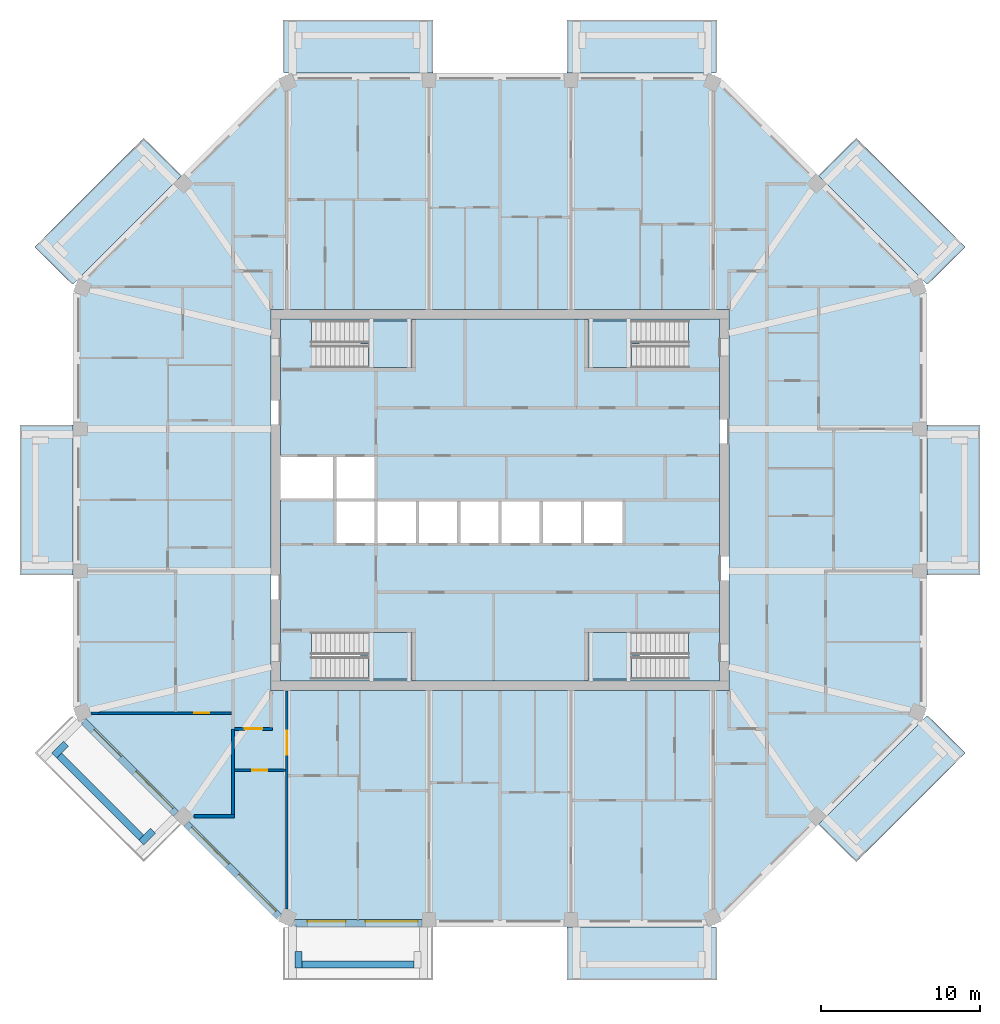
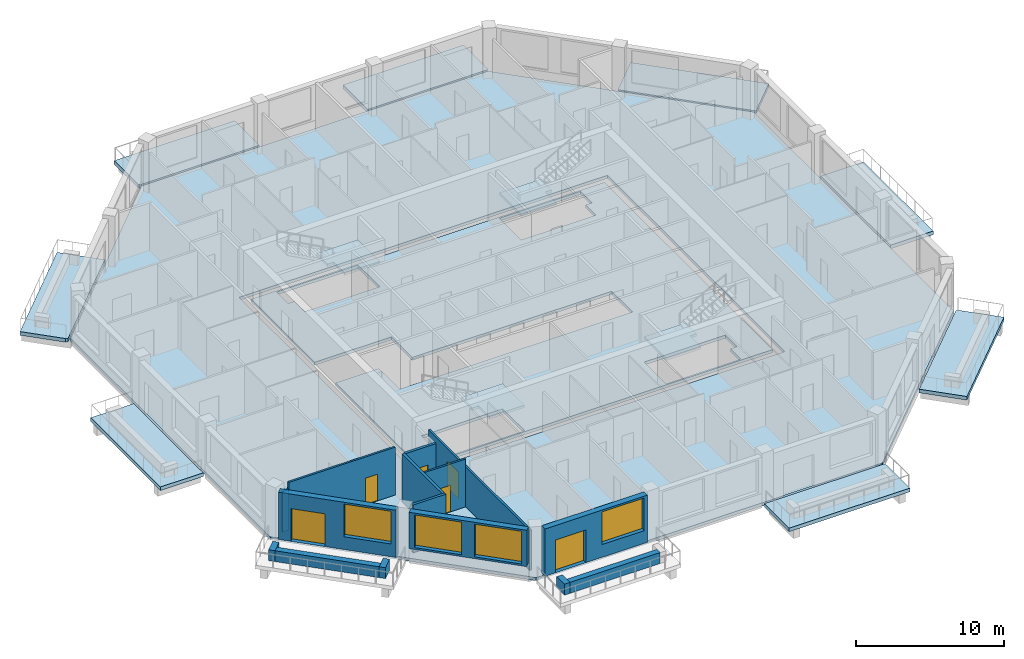
# One storey, part 2 of 13: 15 walls, 14 slabs, 6 doors, 4 windows, 10 openings, 4 elements without a shape of their own.
"""IFC4 building model written with IfcOpenShell, lengths in metres."""

from ifc_helpers import new_model, si_unit, direction, frame, frame_2d, origin, place, context, subcontext, project, spatial, polyline, rectangle, outline, extrude, material, layer, layer_set, type_object, element, fill, aggregate, save


model = new_model("IFC4")

# Units and contexts
model_context = context("Model", 3, precision=1e-05, world=origin(), true_north=direction((0.0, 1.0)))
body_context = subcontext(model_context, "Body", "Model", "MODEL_VIEW")
ifc_project = project(units=[si_unit("LENGTHUNIT", "METRE"), si_unit("AREAUNIT", "SQUARE_METRE"), si_unit("VOLUMEUNIT", "CUBIC_METRE"), si_unit("PLANEANGLEUNIT", "RADIAN"), si_unit("MASSUNIT", "GRAM", prefix="KILO")], contexts=[model_context])

# Site, building, storey
site_placement = place(None, origin())
site = spatial("IfcSite", under=ifc_project, at=site_placement, CompositionType="ELEMENT")
building_placement = place(site_placement, origin())
building = spatial("IfcBuilding", under=site, at=building_placement, Name="Msitu Wima Residences", CompositionType="ELEMENT")
storey_placement = place(building_placement, frame((0.0, 0.0, 289.5)))
storey = spatial("IfcBuildingStorey", under=building, at=storey_placement, Name="L67", CompositionType="ELEMENT", Elevation=289.5)

# Slabs
ifc_material_1 = material(Name="Concrete C40/50", Category="concrete")
ifc_layer_1 = layer(ifc_material_1, 0.300048828125)
ifc_layer_set_1 = layer_set([ifc_layer_1], Name="Concrete C40/50")
slab_type_1 = type_object("IfcSlabType", Name="Balcony slab BS300", PredefinedType="FLOOR", material=ifc_layer_set_1)
slab_1_placement = place(storey_placement, frame((0.0, 0.0, -0.300048828125)))
element("IfcSlab", 1, at=slab_1_placement, inside=storey, type_object=slab_type_1, Name="Balcony E1 L67", PredefinedType="FLOOR", context=body_context, shape_type="SweptSolid", body=[
    extrude(outline(polyline([(26.85009765625, -4.0185546875), (26.85009765625, 4.0185546875), (26.85009765625, 4.71875), (30.199951171875, 4.71875), (30.199951171875, -4.71875), (26.85009765625, -4.71875), (26.85009765625, -4.0185546875)])), origin(), (0.0, 0.0, 1.0), 0.300048828125),
])
slab_2_placement = place(storey_placement, frame((0.0, 0.0, -0.300048828125)))
element("IfcSlab", 2, at=slab_2_placement, inside=storey, type_object=slab_type_1, Name="Balcony NE0 L67", PredefinedType="FLOOR", context=body_context, shape_type="SweptSolid", body=[
    extrude(outline(polyline([(26.505615234375, 13.936767578125), (26.505615234375, 13.936767578125), (20.04443359375, 20.39794921875), (22.4130859375, 22.766845703125), (29.263671875, 15.916015625), (27.003662109375, 13.656005859375), (26.85009765625, 13.59228515625), (26.505615234375, 13.936767578125), (26.505615234375, 13.936767578125)])), origin(), (0.0, 0.0, 1.0), 0.300048828125),
])
slab_3_placement = place(storey_placement, frame((0.0, 0.0, -0.300048828125)))
element("IfcSlab", 3, at=slab_3_placement, inside=storey, type_object=slab_type_1, Name="Balcony N0 L67", PredefinedType="FLOOR", context=body_context, shape_type="SweptSolid", body=[
    extrude(outline(polyline([(13.105224609375, 26.85009765625), (13.105224609375, 26.85009765625), (4.918701171875, 26.85009765625), (4.21875, 26.85009765625), (4.21875, 30.199951171875), (13.656005859375, 30.199951171875), (13.656005859375, 27.003662109375), (13.59228515625, 26.85009765625), (13.105224609375, 26.85009765625), (13.105224609375, 26.85009765625)])), origin(), (0.0, 0.0, 1.0), 0.300048828125),
])
slab_4_placement = place(storey_placement, frame((0.0, 0.0, -0.300048828125)))
element("IfcSlab", 4, at=slab_4_placement, inside=storey, type_object=slab_type_1, Name="Balcony N2 L67", PredefinedType="FLOOR", context=body_context, shape_type="SweptSolid", body=[
    extrude(outline(polyline([(-13.105224609375, 26.85009765625), (-13.105224609375, 26.85009765625), (-13.105224609375, 26.85009765625), (-13.59228515625, 26.85009765625), (-13.656005859375, 27.003662109375), (-13.656005859375, 30.199951171875), (-4.21875, 30.199951171875), (-4.21875, 26.85009765625), (-4.918701171875, 26.85009765625), (-13.105224609375, 26.85009765625)])), origin(), (0.0, 0.0, 1.0), 0.300048828125),
])
slab_5_placement = place(storey_placement, frame((0.0, 0.0, -0.300048828125)))
element("IfcSlab", 5, at=slab_5_placement, inside=storey, type_object=slab_type_1, Name="Balcony NW1 L67", PredefinedType="FLOOR", context=body_context, shape_type="SweptSolid", body=[
    extrude(outline(polyline([(-26.505615234375, 13.936767578125), (-26.505615234375, 13.936767578125), (-26.85009765625, 13.59228515625), (-27.003662109375, 13.656005859375), (-29.263671875, 15.916015625), (-22.4130859375, 22.766845703125), (-20.04443359375, 20.39794921875), (-26.505615234375, 13.936767578125), (-26.505615234375, 13.936767578125)])), origin(), (0.0, 0.0, 1.0), 0.300048828125),
])
slab_6_placement = place(storey_placement, frame((0.0, 0.0, -0.300048828125)))
element("IfcSlab", 6, at=slab_6_placement, inside=storey, type_object=slab_type_1, Name="Balcony W1 L67", PredefinedType="FLOOR", context=body_context, shape_type="SweptSolid", body=[
    extrude(outline(polyline([(-26.85009765625, 4.0185546875), (-26.85009765625, -4.0185546875), (-26.85009765625, -4.71875), (-30.199951171875, -4.71875), (-30.199951171875, 4.71875), (-26.85009765625, 4.71875), (-26.85009765625, 4.0185546875)])), origin(), (0.0, 0.0, 1.0), 0.300048828125),
])
slab_7_placement = place(storey_placement, frame((0.0, 0.0, -0.300048828125)))
element("IfcSlab", 7, at=slab_7_placement, inside=storey, type_object=slab_type_1, Name="Balcony S2 L67", PredefinedType="FLOOR", context=body_context, shape_type="SweptSolid", body=[
    extrude(outline(polyline([(13.105224609375, -26.85009765625), (13.105224609375, -26.85009765625), (13.105224609375, -26.85009765625), (13.59228515625, -26.85009765625), (13.656005859375, -27.003662109375), (13.656005859375, -30.199951171875), (4.21875, -30.199951171875), (4.21875, -26.85009765625), (4.918701171875, -26.85009765625), (13.105224609375, -26.85009765625)])), origin(), (0.0, 0.0, 1.0), 0.300048828125),
])
slab_8_placement = place(storey_placement, frame((0.0, 0.0, -0.300048828125)))
element("IfcSlab", 8, at=slab_8_placement, inside=storey, type_object=slab_type_1, Name="Balcony SE1 L67", PredefinedType="FLOOR", context=body_context, shape_type="SweptSolid", body=[
    extrude(outline(polyline([(26.505615234375, -13.936767578125), (26.505615234375, -13.936767578125), (26.85009765625, -13.59228515625), (27.003662109375, -13.656005859375), (29.263671875, -15.916015625), (22.4130859375, -22.766845703125), (20.04443359375, -20.39794921875), (26.505615234375, -13.936767578125), (26.505615234375, -13.936767578125)])), origin(), (0.0, 0.0, 1.0), 0.300048828125),
])
ifc_layer_2 = layer(ifc_material_1, 0.25)
ifc_layer_set_2 = layer_set([ifc_layer_2], Name="Concrete C40/50")
slab_type_2 = type_object("IfcSlabType", Name="Core floor CF250", PredefinedType="FLOOR", material=ifc_layer_set_2)
slab_9_placement = place(storey_placement, frame((0.0, 0.0, -0.25)))
element("IfcSlab", 9, at=slab_9_placement, inside=storey, type_object=slab_type_2, Name="Core floor", PredefinedType="FLOOR", context=body_context, shape_type="SweptSolid", body=[
    extrude(outline(polyline([(-13.800048828125, 11.39990234375), (-13.800048828125, 2.800048828125), (-10.39990234375, 2.800048828125), (-7.800048828125, 2.800048828125), (-7.800048828125, 0.0), (-5.199951171875, 0.0), (-2.60009765625, 0.0), (0.0, 0.0), (2.60009765625, 0.0), (5.199951171875, 0.0), (7.800048828125, 0.0), (7.800048828125, -2.800048828125), (5.199951171875, -2.800048828125), (2.60009765625, -2.800048828125), (0.0, -2.800048828125), (-2.60009765625, -2.800048828125), (-5.199951171875, -2.800048828125), (-7.800048828125, -2.800048828125), (-10.39990234375, -2.800048828125), (-10.39990234375, 0.0), (-13.800048828125, 0.0), (-13.800048828125, -11.39990234375), (13.800048828125, -11.39990234375), (13.800048828125, 11.39990234375), (-13.800048828125, 11.39990234375)]), holes=[polyline([(-11.375, -11.27490234375), (-11.375, -9.875), (-11.87451171875, -9.875), (-11.87451171875, -8.324951171875), (-5.52490234375, -8.324951171875), (-5.52490234375, -11.27490234375), (-11.375, -11.27490234375)]), polyline([(-11.375, 8.324951171875), (-11.375, 9.72509765625), (-11.87451171875, 9.72509765625), (-11.87451171875, 11.27490234375), (-5.52490234375, 11.27490234375), (-5.52490234375, 8.324951171875), (-11.375, 8.324951171875)]), polyline([(11.375, -9.875), (11.375, -11.27490234375), (5.52490234375, -11.27490234375), (5.52490234375, -8.324951171875), (11.87451171875, -8.324951171875), (11.87451171875, -9.875), (11.375, -9.875)]), polyline([(11.375, 9.72509765625), (11.375, 8.324951171875), (5.52490234375, 8.324951171875), (5.52490234375, 11.27490234375), (11.87451171875, 11.27490234375), (11.87451171875, 9.72509765625), (11.375, 9.72509765625)])]), origin(), (0.0, 0.0, 1.0), 0.25),
])
ifc_layer_3 = layer(ifc_material_1, 0.25)
ifc_layer_set_3 = layer_set([ifc_layer_3], Name="Concrete C40/50")
slab_type_3 = type_object("IfcSlabType", Name="PT flat slab 250 Concrete C40/50", PredefinedType="FLOOR", material=ifc_layer_set_3)
slab_10_placement = place(storey_placement, frame((0.0, 0.0, -0.25)))
element("IfcSlab", 10, at=slab_10_placement, inside=storey, type_object=slab_type_3, Name="Floor slab L67", PredefinedType="FLOOR", context=body_context, shape_type="SweptSolid", body=[
    extrude(outline(polyline([(26.699951171875, -13.5302734375), (13.5302734375, -26.699951171875), (-13.5302734375, -26.699951171875), (-26.699951171875, -13.5302734375), (-26.699951171875, 13.5302734375), (-13.5302734375, 26.699951171875), (13.5302734375, 26.699951171875), (26.699951171875, 13.5302734375), (26.699951171875, -13.5302734375)]), holes=[polyline([(-14.39990234375, -12.0), (14.39990234375, -12.0), (14.39990234375, 12.0), (-14.39990234375, 12.0), (-14.39990234375, -12.0)])]), origin(), (0.0, 0.0, 1.0), 0.25),
])

# Stair, slab
stair_type = type_object("IfcStairType", Name="Exit stair ES1615-140", PredefinedType="HALF_TURN_STAIR", material=ifc_material_1)
stair_1_placement = place(storey_placement, origin())
stair_1 = element("IfcStair", 11, at=stair_1_placement, inside=storey, type_object=stair_type, Name="Exit stair 1", PredefinedType="HALF_TURN_STAIR")
ifc_layer_4 = layer(ifc_material_1, 0.199951171875)
ifc_layer_set_4 = layer_set([ifc_layer_4], Name="Concrete C40/50")
slab_type_4 = type_object("IfcSlabType", Name="Stair landing SL200", PredefinedType="LANDING", material=ifc_layer_set_4)
slab_11_placement = place(storey_placement, frame((0.0, 0.0, 1.89990234375)))
slab_11 = element("IfcSlab", 12, at=slab_11_placement, type_object=slab_type_4, Name="S1 landing 1", PredefinedType="LANDING", context=body_context, shape_type="SweptSolid", body=[
    extrude(outline(polyline([(-5.52490234375, 8.324951171875), (-8.275390625, 8.324951171875), (-8.275390625, 9.800048828125), (-8.77490234375, 9.800048828125), (-8.77490234375, 11.27490234375), (-5.52490234375, 11.27490234375), (-5.52490234375, 8.324951171875)])), origin(), (0.0, 0.0, 1.0), 0.2001953125),
])
aggregate(stair_1, [slab_11])

stair_2_placement = place(storey_placement, origin())
stair_2 = element("IfcStair", 13, at=stair_2_placement, inside=storey, type_object=stair_type, Name="Exit stair 2", PredefinedType="HALF_TURN_STAIR")
slab_12_placement = place(storey_placement, frame((0.0, 0.0, 1.89990234375)))
slab_12 = element("IfcSlab", 14, at=slab_12_placement, type_object=slab_type_4, Name="S2 landing 1", PredefinedType="LANDING", context=body_context, shape_type="SweptSolid", body=[
    extrude(outline(polyline([(-5.52490234375, -11.27490234375), (-8.275390625, -11.27490234375), (-8.275390625, -9.800048828125), (-8.77490234375, -9.800048828125), (-8.77490234375, -8.324951171875), (-5.52490234375, -8.324951171875), (-5.52490234375, -11.27490234375)])), origin(), (0.0, 0.0, 1.0), 0.2001953125),
])
aggregate(stair_2, [slab_12])

stair_3_placement = place(storey_placement, origin())
stair_3 = element("IfcStair", 15, at=stair_3_placement, inside=storey, type_object=stair_type, Name="Exit stair 3", PredefinedType="HALF_TURN_STAIR")
slab_13_placement = place(storey_placement, frame((0.0, 0.0, 1.89990234375)))
slab_13 = element("IfcSlab", 16, at=slab_13_placement, type_object=slab_type_4, Name="S3 landing 1", PredefinedType="LANDING", context=body_context, shape_type="SweptSolid", body=[
    extrude(outline(polyline([(5.52490234375, 8.324951171875), (8.275390625, 8.324951171875), (8.275390625, 9.800048828125), (8.77490234375, 9.800048828125), (8.77490234375, 11.27490234375), (5.52490234375, 11.27490234375), (5.52490234375, 8.324951171875)])), origin(), (0.0, 0.0, 1.0), 0.2001953125),
])
aggregate(stair_3, [slab_13])

stair_4_placement = place(storey_placement, origin())
stair_4 = element("IfcStair", 17, at=stair_4_placement, inside=storey, type_object=stair_type, Name="Exit stair 4", PredefinedType="HALF_TURN_STAIR")
slab_14_placement = place(storey_placement, frame((0.0, 0.0, 1.89990234375)))
slab_14 = element("IfcSlab", 18, at=slab_14_placement, type_object=slab_type_4, Name="S4 landing 1", PredefinedType="LANDING", context=body_context, shape_type="SweptSolid", body=[
    extrude(outline(polyline([(5.52490234375, -11.27490234375), (8.275390625, -11.27490234375), (8.275390625, -9.800048828125), (8.77490234375, -9.800048828125), (8.77490234375, -8.324951171875), (5.52490234375, -8.324951171875), (5.52490234375, -11.27490234375)])), origin(), (0.0, 0.0, 1.0), 0.2001953125),
])
aggregate(stair_4, [slab_14])

# Walls
ifc_material_2 = material(Name="Facing brick")
ifc_layer_5 = layer(ifc_material_2, 0.06494140625, Name="Facing brick")
ifc_layer_6 = layer(ifc_material_1, 0.156005859375, Name="Concrete C40/50")
ifc_material_3 = material(Name="Waterproofing membrane")
ifc_layer_7 = layer(ifc_material_3, 0.00390625, Name="Waterproofing membrane")
ifc_material_4 = material(Name="Planting soil and planting")
ifc_layer_8 = layer(ifc_material_4, 0.22509765625, Name="Planting soil and planting")
ifc_layer_set_5 = layer_set([ifc_layer_5, ifc_layer_6, ifc_layer_7, ifc_layer_8], Name="Concrete C40/50")
wall_type_1 = type_object("IfcWallType", Name="Balcony planter PLANTER PL450", PredefinedType="USERDEFINED", material=ifc_layer_set_5)
wall_1_placement = place(storey_placement, frame((-27.725830078125, -16.0751953125, 0.0), z_axis=(0.0, 0.0, 1.0), x_axis=(0.707106781187, -0.707106781187, 0.0)))
element("IfcWall", 19, at=wall_1_placement, inside=storey, type_object=wall_type_1, Name="Balcony planter SW0 L67", ObjectType="PLANTER", PredefinedType="USERDEFINED", context=body_context, shape_type="SweptSolid", body=[
    extrude(rectangle(XDim=7.288330078125, YDim=0.449951171875, at=frame_2d((3.64404296875, 0.0))), origin(), (0.0, 0.0, 1.0), 0.89990234375),
])
for number, where, z_axis, x_axis, name in (
    (20, (-27.301513671875, -15.332763671875, 0.0), (0.0, 0.0, 1.0), (-0.707106781187, -0.707106781187, 0.0), "Balcony planter SW0 L67"),
    (21, (-21.829833984375, -20.804443359375, 0.0), (0.0, 0.0, 1.0), (-0.707106781187, -0.707106781187, 0.0), "Balcony planter SW0 L67"),
):
    element("IfcWall", number, at=place(storey_placement, frame(where, z_axis=z_axis, x_axis=x_axis)), inside=storey, type_object=wall_type_1, Name=name, ObjectType="PLANTER", PredefinedType="USERDEFINED", context=body_context, shape_type="SweptSolid", body=[
        extrude(rectangle(XDim=1.050048828125, YDim=0.449951171875, at=frame_2d((0.52490234375, 0.0))), origin(), (0.0, 0.0, 1.0), 0.89990234375),
    ])
wall_2_placement = place(storey_placement, frame((-12.455810546875, -29.22509765625, 0.0), z_axis=(0.0, 0.0, 1.0), x_axis=(1.0, 0.0, 0.0)))
element("IfcWall", 22, at=wall_2_placement, inside=storey, type_object=wall_type_1, Name="Balcony planter S0 L67", ObjectType="PLANTER", PredefinedType="USERDEFINED", context=body_context, shape_type="SweptSolid", body=[
    extrude(rectangle(XDim=7.037109375, YDim=0.449951171875, at=frame_2d((3.5185546875, 0.0))), origin(), (0.0, 0.0, 1.0), 0.89990234375),
])
wall_3_placement = place(storey_placement, frame((-12.680908203125, -28.39990234375, 0.0), z_axis=(0.0, 0.0, 1.0), x_axis=(0.0, -1.0, 0.0)))
element("IfcWall", 23, at=wall_3_placement, inside=storey, type_object=wall_type_1, Name="Balcony planter S0 L67", ObjectType="PLANTER", PredefinedType="USERDEFINED", context=body_context, shape_type="SweptSolid", body=[
    extrude(rectangle(XDim=1.050048828125, YDim=0.449951171875, at=frame_2d((0.52490234375, 0.0))), origin(), (0.0, 0.0, 1.0), 0.89990234375),
])

# Wall, openings, door, window
ifc_material_5 = material(Name="Brick (red buff mix)", Category="masonry")
ifc_layer_9 = layer(ifc_material_5, 0.449951171875)
ifc_layer_set_6 = layer_set([ifc_layer_9], Name="Brick (red buff mix)")
wall_type_2 = type_object("IfcWallType", Name="Brick infill wall BW450", PredefinedType="SOLIDWALL", material=ifc_layer_set_6)
wall_4_placement = place(storey_placement, frame((-26.214599609375, -13.909423828125, 0.0), z_axis=(0.0, 0.0, 1.0), x_axis=(0.707106781187, -0.707106781187, 0.0)))
wall_4 = element("IfcWall", 24, at=wall_4_placement, inside=storey, type_object=wall_type_2, Name="Brick infill wall L67 SW0", PredefinedType="SOLIDWALL", context=body_context, shape_type="SweptSolid", body=[
    extrude(rectangle(XDim=8.251220703125, YDim=0.449951171875, at=frame_2d((4.12548828125, 0.0))), origin(), (0.0, 0.0, 1.0), 3.89990234375),
])
opening_1_placement = place(wall_4_placement, frame((0.86279296875, 0.0, 0.0)))
opening_1 = element("IfcOpeningElement", 25, at=opening_1_placement, cuts=wall_4, Name="Opening D65-67.009", PredefinedType="OPENING", context=body_context, shape_type="SweptSolid", body=[
    extrude(rectangle(XDim=2.39990234375, YDim=2.699951171875, at=frame_2d((1.199951171875, 1.35009765625))), frame((0.0, 0.23486328125, 0.0), z_axis=(0.0, -1.0, 0.0), x_axis=(1.0, 0.0, 0.0)), (0.0, 0.0, 1.0), 0.469970703125),
])
opening_2_placement = place(wall_4_placement, frame((4.57568359375, 0.0, 1.050048828125)))
opening_2 = element("IfcOpeningElement", 26, at=opening_2_placement, cuts=wall_4, Name="Opening W65-67.023", PredefinedType="OPENING", context=body_context, shape_type="SweptSolid", body=[
    extrude(rectangle(XDim=3.300048828125, YDim=2.699951171875, at=frame_2d((1.64990234375, 1.35009765625))), frame((0.0, 0.23486328125, 0.0), z_axis=(0.0, -1.0, 0.0), x_axis=(1.0, 0.0, 0.0)), (0.0, 0.0, 1.0), 0.469970703125),
])
ifc_material_6 = material(Name="Anodised aluminium, bronze finish, clear low-emissivity double glazing", Category="aluminium")
door_type_1 = type_object("IfcDoorType", Name="Balcony door D2400x2700", OperationType="SLIDING_TO_LEFT", PredefinedType="DOOR", material=ifc_material_6)
door_1_placement = place(opening_1_placement, origin())
door_1 = element("IfcDoor", 27, at=door_1_placement, inside=storey, type_object=door_type_1, Name="Balcony door L67 SW0", OperationType="SINGLE_SWING_LEFT", OverallHeight=2.699951171875, OverallWidth=2.39990234375, PredefinedType="DOOR", context=body_context, shape_type="SweptSolid", body=[
    extrude(rectangle(XDim=2.39990234375, YDim=2.699951171875, at=frame_2d((1.199951171875, 1.35009765625))), frame((0.0, 0.1298828125, 0.0), z_axis=(0.0, -1.0, 0.0), x_axis=(1.0, 0.0, 0.0)), (0.0, 0.0, 1.0), 0.050048828125),
])
fill(opening_1, door_1)
window_type = type_object("IfcWindowType", Name="Window W3300x2700", PartitioningType="DOUBLE_PANEL_VERTICAL", PredefinedType="WINDOW", material=ifc_material_6)
window_1_placement = place(opening_2_placement, origin())
window_1 = element("IfcWindow", 28, at=window_1_placement, inside=storey, type_object=window_type, Name="Window L67 SW0.2", OverallHeight=2.699951171875, OverallWidth=3.300048828125, PartitioningType="SINGLE_PANEL", PredefinedType="WINDOW", context=body_context, shape_type="SweptSolid", body=[
    extrude(rectangle(XDim=3.300048828125, YDim=2.699951171875, at=frame_2d((1.64990234375, 1.35009765625))), frame((0.0, 0.135009765625, 0.0), z_axis=(0.0, -1.0, 0.0), x_axis=(1.0, 0.0, 0.0)), (0.0, 0.0, 1.0), 0.06005859375),
])
fill(opening_2, window_1)

# Wall, openings, windows
wall_5_placement = place(storey_placement, frame((-19.743896484375, -20.380126953125, 0.89990234375), z_axis=(0.0, 0.0, 1.0), x_axis=(0.707106781187, -0.707106781187, 0.0)))
wall_5 = element("IfcWall", 29, at=wall_5_placement, inside=storey, type_object=wall_type_2, Name="Brick infill wall L67 SW1", PredefinedType="SOLIDWALL", context=body_context, shape_type="SweptSolid", body=[
    extrude(rectangle(XDim=8.251220703125, YDim=0.449951171875, at=frame_2d((4.12548828125, 0.0))), origin(), (0.0, 0.0, 1.0), 3.0),
])
opening_3_placement = place(wall_5_placement, frame((0.37548828125, 0.0, 0.14990234375)))
opening_3 = element("IfcOpeningElement", 30, at=opening_3_placement, cuts=wall_5, Name="Opening W65-67.024", PredefinedType="OPENING", context=body_context, shape_type="SweptSolid", body=[
    extrude(rectangle(XDim=3.300048828125, YDim=2.699951171875, at=frame_2d((1.64990234375, 1.35009765625))), frame((0.0, 0.23486328125, 0.0), z_axis=(0.0, -1.0, 0.0), x_axis=(1.0, 0.0, 0.0)), (0.0, 0.0, 1.0), 0.469970703125),
])
opening_4_placement = place(wall_5_placement, frame((4.57568359375, 0.0, 0.14990234375)))
opening_4 = element("IfcOpeningElement", 31, at=opening_4_placement, cuts=wall_5, Name="Opening W65-67.025", PredefinedType="OPENING", context=body_context, shape_type="SweptSolid", body=[
    extrude(rectangle(XDim=3.300048828125, YDim=2.699951171875, at=frame_2d((1.64990234375, 1.35009765625))), frame((0.0, 0.23486328125, 0.0), z_axis=(0.0, -1.0, 0.0), x_axis=(1.0, 0.0, 0.0)), (0.0, 0.0, 1.0), 0.469970703125),
])
window_2_placement = place(opening_3_placement, origin())
window_2 = element("IfcWindow", 32, at=window_2_placement, inside=storey, type_object=window_type, Name="Window L67 SW1.1", OverallHeight=2.699951171875, OverallWidth=3.300048828125, PartitioningType="SINGLE_PANEL", PredefinedType="WINDOW", context=body_context, shape_type="SweptSolid", body=[
    extrude(rectangle(XDim=3.300048828125, YDim=2.699951171875, at=frame_2d((1.64990234375, 1.35009765625))), frame((0.0, 0.135009765625, 0.0), z_axis=(0.0, -1.0, 0.0), x_axis=(1.0, 0.0, 0.0)), (0.0, 0.0, 1.0), 0.06005859375),
])
fill(opening_3, window_2)
window_3_placement = place(opening_4_placement, origin())
window_3 = element("IfcWindow", 33, at=window_3_placement, inside=storey, type_object=window_type, Name="Window L67 SW1.2", OverallHeight=2.699951171875, OverallWidth=3.300048828125, PartitioningType="SINGLE_PANEL", PredefinedType="WINDOW", context=body_context, shape_type="SweptSolid", body=[
    extrude(rectangle(XDim=3.300048828125, YDim=2.699951171875, at=frame_2d((1.64990234375, 1.35009765625))), frame((0.0, 0.135009765625, 0.0), z_axis=(0.0, -1.0, 0.0), x_axis=(1.0, 0.0, 0.0)), (0.0, 0.0, 1.0), 0.06005859375),
])
fill(opening_4, window_3)

# Wall, openings, door, window
wall_6_placement = place(storey_placement, frame((-12.918701171875, -26.625, 0.0), z_axis=(0.0, 0.0, 1.0), x_axis=(1.0, 0.0, 0.0)))
wall_6 = element("IfcWall", 34, at=wall_6_placement, inside=storey, type_object=wall_type_2, Name="Brick infill wall L67 S0", PredefinedType="SOLIDWALL", context=body_context, shape_type="SweptSolid", body=[
    extrude(rectangle(XDim=8.0, YDim=0.449951171875, at=frame_2d((4.0, 0.0))), origin(), (0.0, 0.0, 1.0), 3.89990234375),
])
opening_5_placement = place(wall_6_placement, frame((0.800048828125, 0.0, 0.0)))
opening_5 = element("IfcOpeningElement", 35, at=opening_5_placement, cuts=wall_6, Name="Opening D65-67.006", PredefinedType="OPENING", context=body_context, shape_type="SweptSolid", body=[
    extrude(rectangle(XDim=2.39990234375, YDim=2.699951171875, at=frame_2d((1.199951171875, 1.35009765625))), frame((0.0, 0.23486328125, 0.0), z_axis=(0.0, -1.0, 0.0), x_axis=(1.0, 0.0, 0.0)), (0.0, 0.0, 1.0), 0.469970703125),
])
opening_6_placement = place(wall_6_placement, frame((4.4501953125, 0.0, 1.050048828125)))
opening_6 = element("IfcOpeningElement", 36, at=opening_6_placement, cuts=wall_6, Name="Opening W65-67.016", PredefinedType="OPENING", context=body_context, shape_type="SweptSolid", body=[
    extrude(rectangle(XDim=3.300048828125, YDim=2.699951171875, at=frame_2d((1.64990234375, 1.35009765625))), frame((0.0, 0.23486328125, 0.0), z_axis=(0.0, -1.0, 0.0), x_axis=(1.0, 0.0, 0.0)), (0.0, 0.0, 1.0), 0.469970703125),
])
door_2_placement = place(opening_5_placement, origin())
door_2 = element("IfcDoor", 37, at=door_2_placement, inside=storey, type_object=door_type_1, Name="Balcony door L67 S0", OperationType="SINGLE_SWING_LEFT", OverallHeight=2.699951171875, OverallWidth=2.39990234375, PredefinedType="DOOR", context=body_context, shape_type="SweptSolid", body=[
    extrude(rectangle(XDim=2.39990234375, YDim=2.699951171875, at=frame_2d((1.199951171875, 1.35009765625))), frame((0.0, 0.1298828125, 0.0), z_axis=(0.0, -1.0, 0.0), x_axis=(1.0, 0.0, 0.0)), (0.0, 0.0, 1.0), 0.050048828125),
])
fill(opening_5, door_2)
window_4_placement = place(opening_6_placement, origin())
window_4 = element("IfcWindow", 38, at=window_4_placement, inside=storey, type_object=window_type, Name="Window L67 S0.2", OverallHeight=2.699951171875, OverallWidth=3.300048828125, PartitioningType="SINGLE_PANEL", PredefinedType="WINDOW", context=body_context, shape_type="SweptSolid", body=[
    extrude(rectangle(XDim=3.300048828125, YDim=2.699951171875, at=frame_2d((1.64990234375, 1.35009765625))), frame((0.0, 0.135009765625, 0.0), z_axis=(0.0, -1.0, 0.0), x_axis=(1.0, 0.0, 0.0)), (0.0, 0.0, 1.0), 0.06005859375),
])
fill(opening_6, window_4)

# Wall, opening, door
ifc_material_7 = material(Name="Plaster")
ifc_layer_10 = layer(ifc_material_7, 0.011962890625, Name="Plaster")
ifc_material_8 = material(Name="Concrete blockwork", Category="masonry")
ifc_layer_11 = layer(ifc_material_8, 0.176025390625, Name="Concrete blockwork")
ifc_layer_12 = layer(ifc_material_7, 0.011962890625, Name="Plaster")
ifc_layer_set_7 = layer_set([ifc_layer_10, ifc_layer_11, ifc_layer_12], Name="Concrete blockwork")
wall_type_3 = type_object("IfcWallType", Name="Corridor wall FW200", PredefinedType="PARTITIONING", material=ifc_layer_set_7)
wall_7_placement = place(storey_placement, frame((-16.699951171875, -14.39990234375, 0.0), z_axis=(0.0, 0.0, 1.0), x_axis=(1.0, 0.0, 0.0)))
wall_7 = element("IfcWall", 39, at=wall_7_placement, inside=storey, type_object=wall_type_3, Name="Corridor wall", PredefinedType="PARTITIONING", context=body_context, shape_type="SweptSolid", body=[
    extrude(rectangle(XDim=2.39990234375, YDim=0.199951171875, at=frame_2d((1.199951171875, 0.0))), origin(), (0.0, 0.0, 1.0), 3.949951171875),
])
opening_7_placement = place(wall_7_placement, frame((0.64990234375, 0.0, 0.0)))
opening_7 = element("IfcOpeningElement", 40, at=opening_7_placement, cuts=wall_7, Name="Opening D65-67.054", PredefinedType="OPENING", context=body_context, shape_type="SweptSolid", body=[
    extrude(rectangle(XDim=1.10009765625, YDim=2.39990234375, at=frame_2d((0.550048828125, 1.199951171875))), frame((0.0, 0.10986328125, 0.0), z_axis=(0.0, -1.0, 0.0), x_axis=(1.0, 0.0, 0.0)), (0.0, 0.0, 1.0), 0.219970703125),
])
ifc_material_9 = material(Name="Timber flush door, fire resisting, self-closing", Category="wood")
door_type_2 = type_object("IfcDoorType", Name="Flat entrance door D01 1100x2400", OperationType="SINGLE_SWING_LEFT", PredefinedType="DOOR", material=ifc_material_9)
door_3_placement = place(opening_7_placement, origin())
door_3 = element("IfcDoor", 41, at=door_3_placement, inside=storey, type_object=door_type_2, Name="Flat entrance door", OperationType="SINGLE_SWING_RIGHT", OverallHeight=2.39990234375, OverallWidth=1.10009765625, PredefinedType="DOOR", context=body_context, shape_type="SweptSolid", body=[
    extrude(rectangle(XDim=1.10009765625, YDim=2.39990234375, at=frame_2d((0.550048828125, 1.199951171875))), frame((0.0, 0.02490234375, 0.0), z_axis=(0.0, -1.0, 0.0), x_axis=(1.0, 0.0, 0.0)), (0.0, 0.0, 1.0), 0.050048828125),
])
fill(opening_7, door_3)

# Wall
ifc_layer_13 = layer(ifc_material_7, 0.011962890625, Name="Plaster")
ifc_layer_14 = layer(ifc_material_8, 0.1259765625, Name="Concrete blockwork")
ifc_layer_15 = layer(ifc_material_7, 0.011962890625, Name="Plaster")
ifc_layer_set_8 = layer_set([ifc_layer_13, ifc_layer_14, ifc_layer_15], Name="Concrete blockwork")
wall_type_4 = type_object("IfcWallType", Name="Partition PW150", PredefinedType="PARTITIONING", material=ifc_layer_set_8)
wall_8_placement = place(storey_placement, frame((-25.731201171875, -13.406005859375, 0.0), z_axis=(0.0, 0.0, 1.0), x_axis=(1.0, 0.0, 0.0)))
element("IfcWall", 42, at=wall_8_placement, inside=storey, type_object=wall_type_4, Name="Partition", PredefinedType="PARTITIONING", context=body_context, shape_type="SweptSolid", body=[
    extrude(rectangle(XDim=0.507080078125, YDim=0.14990234375, at=frame_2d((0.25341796875, 0.0))), origin(), (0.0, 0.0, 1.0), 3.35009765625),
])

# Wall, opening, door
wall_9_placement = place(storey_placement, frame((-25.22412109375, -13.406005859375, 0.0), z_axis=(0.0, 0.0, 1.0), x_axis=(1.0, 0.0, 0.0)))
wall_9 = element("IfcWall", 43, at=wall_9_placement, inside=storey, type_object=wall_type_4, Name="Partition", PredefinedType="PARTITIONING", context=body_context, shape_type="SweptSolid", body=[
    extrude(rectangle(XDim=8.32421875, YDim=0.14990234375, at=frame_2d((4.162109375, 0.0))), origin(), (0.0, 0.0, 1.0), 3.949951171875),
])
opening_8_placement = place(wall_9_placement, frame((5.992919921875, 0.0, 0.0)))
opening_8 = element("IfcOpeningElement", 44, at=opening_8_placement, cuts=wall_9, Name="Opening D65-67.043", PredefinedType="OPENING", context=body_context, shape_type="SweptSolid", body=[
    extrude(rectangle(XDim=0.949951171875, YDim=2.199951171875, at=frame_2d((0.47509765625, 1.10009765625))), frame((0.0, 0.0849609375, 0.0), z_axis=(0.0, -1.0, 0.0), x_axis=(1.0, 0.0, 0.0)), (0.0, 0.0, 1.0), 0.169921875),
])
ifc_material_10 = material(Name="Timber flush door", Category="wood")
door_type_3 = type_object("IfcDoorType", Name="Room door D12 950x2200", OperationType="SINGLE_SWING_LEFT", PredefinedType="DOOR", material=ifc_material_10)
door_4_placement = place(opening_8_placement, origin())
door_4 = element("IfcDoor", 45, at=door_4_placement, inside=storey, type_object=door_type_3, Name="Room door", OperationType="SINGLE_SWING_LEFT", OverallHeight=2.199951171875, OverallWidth=0.949951171875, PredefinedType="DOOR", context=body_context, shape_type="SweptSolid", body=[
    extrude(rectangle(XDim=0.949951171875, YDim=2.199951171875, at=frame_2d((0.47509765625, 1.10009765625))), frame((0.0, 0.02490234375, 0.0), z_axis=(0.0, -1.0, 0.0), x_axis=(1.0, 0.0, 0.0)), (0.0, 0.0, 1.0), 0.050048828125),
])
fill(opening_8, door_4)

wall_10_placement = place(storey_placement, frame((-16.699951171875, -17.0, 0.0), z_axis=(0.0, 0.0, 1.0), x_axis=(1.0, 0.0, 0.0)))
wall_10 = element("IfcWall", 46, at=wall_10_placement, inside=storey, type_object=wall_type_4, Name="Partition", PredefinedType="PARTITIONING", context=body_context, shape_type="SweptSolid", body=[
    extrude(rectangle(XDim=3.218994140625, YDim=0.14990234375, at=frame_2d((1.609375, 0.0))), origin(), (0.0, 0.0, 1.0), 3.949951171875),
])
opening_9_placement = place(wall_10_placement, frame((1.10009765625, 0.0, 0.0)))
opening_9 = element("IfcOpeningElement", 47, at=opening_9_placement, cuts=wall_10, Name="Opening D65-67.057", PredefinedType="OPENING", context=body_context, shape_type="SweptSolid", body=[
    extrude(rectangle(XDim=0.949951171875, YDim=2.199951171875, at=frame_2d((0.47509765625, 1.10009765625))), frame((0.0, 0.0849609375, 0.0), z_axis=(0.0, -1.0, 0.0), x_axis=(1.0, 0.0, 0.0)), (0.0, 0.0, 1.0), 0.169921875),
])
door_5_placement = place(opening_9_placement, origin())
door_5 = element("IfcDoor", 48, at=door_5_placement, inside=storey, type_object=door_type_3, Name="Room door", OperationType="SINGLE_SWING_RIGHT", OverallHeight=2.199951171875, OverallWidth=0.949951171875, PredefinedType="DOOR", context=body_context, shape_type="SweptSolid", body=[
    extrude(rectangle(XDim=0.949951171875, YDim=2.199951171875, at=frame_2d((0.47509765625, 1.10009765625))), frame((0.0, 0.02490234375, 0.0), z_axis=(0.0, -1.0, 0.0), x_axis=(1.0, 0.0, 0.0)), (0.0, 0.0, 1.0), 0.050048828125),
])
fill(opening_9, door_5)

wall_11_placement = place(storey_placement, frame((-13.406005859375, -25.731201171875, 0.0), z_axis=(0.0, 0.0, 1.0), x_axis=(0.0, 1.0, 0.0)))
wall_11 = element("IfcWall", 49, at=wall_11_placement, inside=storey, type_object=wall_type_4, Name="Partition", PredefinedType="PARTITIONING", context=body_context, shape_type="SweptSolid", body=[
    extrude(rectangle(XDim=13.701171875, YDim=0.14990234375, at=frame_2d((6.8505859375, 0.0))), origin(), (0.0, 0.0, 1.0), 3.300048828125),
])
opening_10_placement = place(wall_11_placement, frame((9.699951171875, 0.0, 0.0)))
opening_10 = element("IfcOpeningElement", 50, at=opening_10_placement, cuts=wall_11, Name="Opening D65-67.055", PredefinedType="OPENING", context=body_context, shape_type="SweptSolid", body=[
    extrude(rectangle(XDim=1.5, YDim=2.199951171875, at=frame_2d((0.75, 1.10009765625))), frame((0.0, 0.0849609375, 0.0), z_axis=(0.0, -1.0, 0.0), x_axis=(1.0, 0.0, 0.0)), (0.0, 0.0, 1.0), 0.169921875),
])
ifc_material_11 = material(Name="Timber double door", Category="wood")
door_type_4 = type_object("IfcDoorType", Name="Double door D04 1500x2200", OperationType="DOUBLE_DOOR_SINGLE_SWING", PredefinedType="DOOR", material=ifc_material_11)
door_6_placement = place(opening_10_placement, origin())
door_6 = element("IfcDoor", 51, at=door_6_placement, inside=storey, type_object=door_type_4, Name="Double door", OperationType="DOUBLE_DOOR_SINGLE_SWING", OverallHeight=2.199951171875, OverallWidth=1.5, PredefinedType="DOOR", context=body_context, shape_type="SweptSolid", body=[
    extrude(rectangle(XDim=1.5, YDim=2.199951171875, at=frame_2d((0.75, 1.10009765625))), frame((0.0, 0.02490234375, 0.0), z_axis=(0.0, -1.0, 0.0), x_axis=(1.0, 0.0, 0.0)), (0.0, 0.0, 1.0), 0.050048828125),
])
fill(opening_10, door_6)

# Walls
ifc_layer_16 = layer(ifc_material_7, 0.011962890625, Name="Plaster")
ifc_material_12 = material(Name="Dense concrete blockwork", Category="masonry")
ifc_layer_17 = layer(ifc_material_12, 0.176025390625, Name="Dense concrete blockwork")
ifc_layer_18 = layer(ifc_material_7, 0.011962890625, Name="Plaster")
ifc_layer_set_9 = layer_set([ifc_layer_16, ifc_layer_17, ifc_layer_18], Name="Dense concrete blockwork")
wall_type_5 = type_object("IfcWallType", Name="Party wall PW200", PredefinedType="PARTITIONING", material=ifc_layer_set_9)
wall_12_placement = place(storey_placement, frame((-19.2666015625, -19.90283203125, 0.0), z_axis=(0.0, 0.0, 1.0), x_axis=(1.0, 0.0, 0.0)))
element("IfcWall", 52, at=wall_12_placement, inside=storey, type_object=wall_type_5, Name="Party wall", PredefinedType="PARTITIONING", context=body_context, shape_type="SweptSolid", body=[
    extrude(rectangle(XDim=2.566650390625, YDim=0.199951171875, at=frame_2d((1.283203125, 0.0))), origin(), (0.0, 0.0, 1.0), 3.949951171875),
])
wall_13_placement = place(storey_placement, frame((-16.800048828125, -19.802978515625, 0.0), z_axis=(0.0, 0.0, 1.0), x_axis=(0.0, 1.0, 0.0)))
element("IfcWall", 53, at=wall_13_placement, inside=storey, type_object=wall_type_5, Name="Party wall", PredefinedType="PARTITIONING", context=body_context, shape_type="SweptSolid", body=[
    extrude(rectangle(XDim=5.403076171875, YDim=0.199951171875, at=frame_2d((2.70166015625, 0.0))), origin(), (0.0, 0.0, 1.0), 3.949951171875),
])

save(model, "model.ifc")
